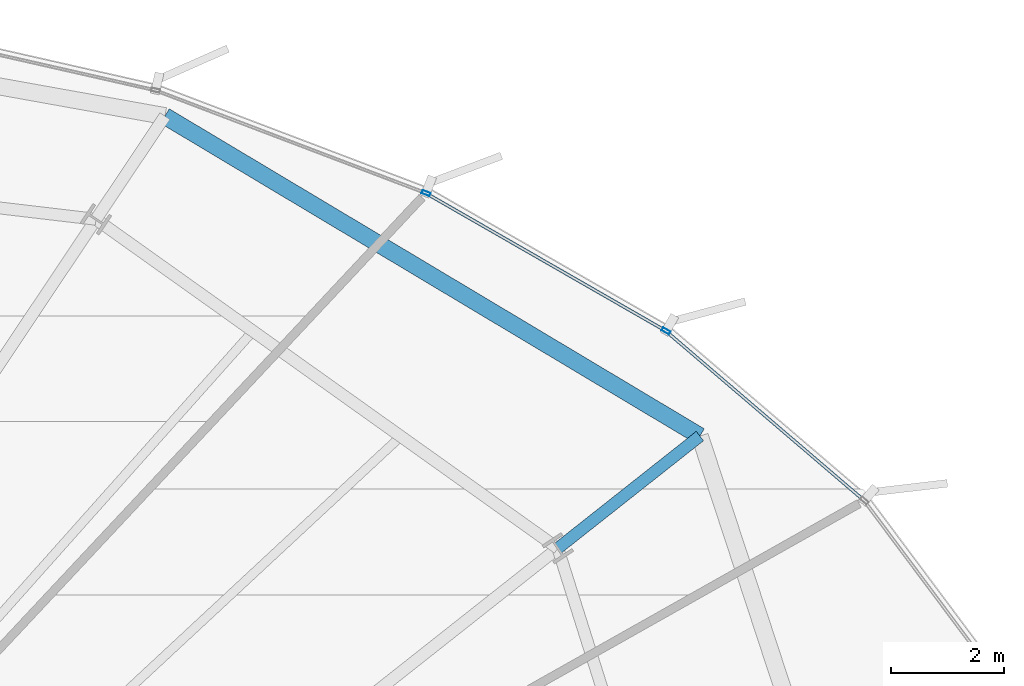
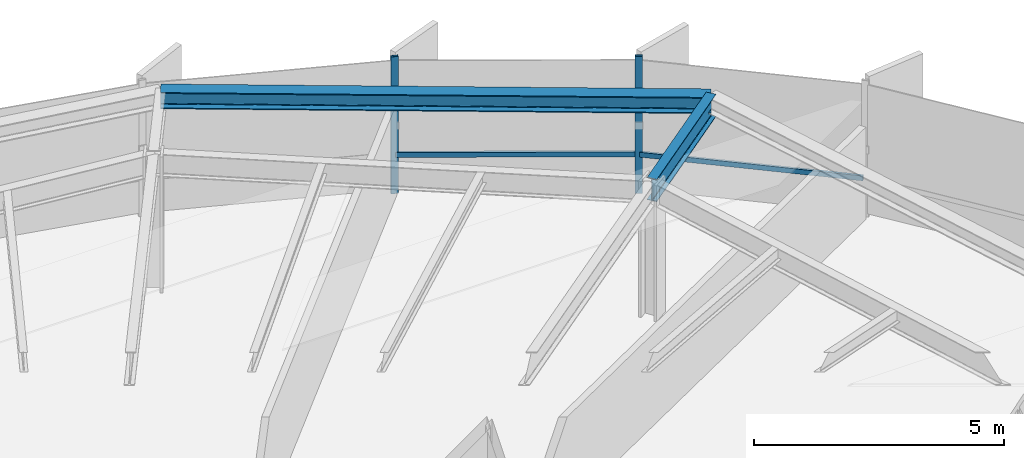
# One storey, part 25 of 35: 4 members, 2 beams, 1 element without a shape of its own.
"""IFC4 building model written with IfcOpenShell, lengths in metres."""

from ifc_helpers import new_model, si_unit, direction, frame, origin, origin_2d, place, context, subcontext, project, spatial, hollow_rectangle, i_section, extrude, source, transform, mapped, material, layer, layer_set, material_profile, profile_set, type_object, element, aggregate, save


model = new_model("IFC4")

# Units and contexts
model_context = context("Model", 3, precision=1e-05, world=origin(), true_north=direction((0.0, 1.0)))
body_context = subcontext(model_context, "Body", "Model", "MODEL_VIEW")
ifc_project = project(units=[si_unit("LENGTHUNIT", "METRE"), si_unit("AREAUNIT", "SQUARE_METRE"), si_unit("VOLUMEUNIT", "CUBIC_METRE"), si_unit("PLANEANGLEUNIT", "RADIAN"), si_unit("MASSUNIT", "GRAM", prefix="KILO"), si_unit("THERMODYNAMICTEMPERATUREUNIT", "KELVIN")], contexts=[model_context])

# Site, building, storey
site_placement = place(None, origin())
site = spatial("IfcSite", under=ifc_project, at=site_placement, CompositionType="ELEMENT")
building_placement = place(site_placement, origin())
building = spatial("IfcBuilding", under=site, at=building_placement, Name="Kethvar Cultural Tower", CompositionType="ELEMENT")
storey_placement = place(building_placement, frame((0.0, 0.0, 92.800048828125)))
storey = spatial("IfcBuildingStorey", under=building, at=storey_placement, Name="L22", CompositionType="ELEMENT", Elevation=92.800048828125)

# Beams
ifc_material_1 = material(Name="Steel S355J2", Category="steel")
ifc_material_profile_1 = material_profile(ifc_material_1, i_section(OverallWidth=0.2099609375, OverallDepth=0.550048828125, WebThickness=0.010986328125, FlangeThickness=0.01708984375, FilletRadius=0.02392578125, at=origin_2d()), Name="Steel S355J2 — IPE550")
ifc_profile_set_1 = profile_set([ifc_material_profile_1], Name="Steel S355J2 — IPE550")
beam_type_1 = type_object("IfcBeamType", Name="BM-IPE550", PredefinedType="BEAM", material=ifc_profile_set_1)
shared_shape_1 = source(origin(), body_context, "Body", "SweptSolid", [
    extrude(i_section(OverallWidth=0.2099609375, OverallDepth=0.550048828125, WebThickness=0.010986328125, FlangeThickness=0.01708984375, FilletRadius=0.02392578125, at=origin_2d()), origin(), (0.0, 0.0, 1.0), 3.2001953125),
])
beam_1_placement = place(storey_placement, frame((68.568603515625, 42.34521484375, 3.072998046875), z_axis=(0.784650322996, 0.619938602301, 0.0), x_axis=(-0.619938602301, 0.784650322996, 0.0)))
element("IfcBeam", 1, at=beam_1_placement, inside=storey, type_object=beam_type_1, Name="L22 Perimeter Cantilever Beam RC-02", PredefinedType="BEAM", context=body_context, shape_type="MappedRepresentation", body=[
    mapped(shared_shape_1, transform((0.0, 0.0, 0.0), scale=1.0)),
])
ifc_material_profile_2 = material_profile(ifc_material_1, i_section(OverallWidth=0.300048828125, OverallDepth=0.39990234375, WebThickness=0.013427734375, FlangeThickness=0.02392578125, FilletRadius=0.027099609375, at=origin_2d()), Name="Steel S355J2 — HEB400")
ifc_profile_set_2 = profile_set([ifc_material_profile_2], Name="Steel S355J2 — HEB400")
beam_type_2 = type_object("IfcBeamType", Name="BM-SP400", PredefinedType="SPANDREL", material=ifc_profile_set_2)
shared_shape_2 = source(origin(), body_context, "Body", "SweptSolid", [
    extrude(i_section(OverallWidth=0.300048828125, OverallDepth=0.39990234375, WebThickness=0.013427734375, FlangeThickness=0.02392578125, FilletRadius=0.027099609375, at=origin_2d()), origin(), (0.0, 0.0, 1.0), 11.0185546875),
])
beam_2_placement = place(storey_placement, frame((71.07958984375, 44.3291015625, 3.14794921875), z_axis=(-0.858223254521, 0.513276577879, 0.0), x_axis=(-0.513276577879, -0.858223254521, 0.0)))
element("IfcBeam", 2, at=beam_2_placement, inside=storey, type_object=beam_type_2, Name="L22 Perimeter Spandrel Beam SP-02", PredefinedType="SPANDREL", context=body_context, shape_type="MappedRepresentation", body=[
    mapped(shared_shape_2, transform((0.0, 0.0, 0.0), scale=1.0)),
])

# Curtain wall, members
ifc_material_2 = material(Name="Aluminium 6063-T6", Category="aluminium")
ifc_layer = layer(ifc_material_2, 0.179931640625, Name="Aluminium 6063-T6", Category="aluminium")
ifc_layer_set = layer_set([ifc_layer], Name="Aluminium 6063-T6 (180 mm)")
curtain_wall_type = type_object("IfcCurtainWallType", Name="CW-SYS-03-Z2", PredefinedType="NOTDEFINED", material=ifc_layer_set)
curtain_wall_placement = place(storey_placement, origin())
curtain_wall = element("IfcCurtainWall", 3, at=curtain_wall_placement, inside=storey, type_object=curtain_wall_type, Name="L22 Curtain Wall Run 01", PredefinedType="NOTDEFINED")
ifc_material_profile_3 = material_profile(ifc_material_2, hollow_rectangle(XDim=0.06005859375, YDim=0.14990234375, WallThickness=0.0048828125, at=origin_2d()), Name="Aluminium 6063-T6 — RHS150x60x5")
ifc_profile_set_3 = profile_set([ifc_material_profile_3], Name="Aluminium 6063-T6 — RHS150x60x5")
member_type_1 = type_object("IfcMemberType", Name="CW-SYS-03-Z2-MUL", PredefinedType="MULLION", material=ifc_profile_set_3)
shared_shape_3 = source(origin(), body_context, "Body", "SweptSolid", [
    extrude(hollow_rectangle(XDim=0.06005859375, YDim=0.14990234375, WallThickness=0.0048828125, at=origin_2d()), origin(), (0.0, 0.0, 1.0), 3.349853515625),
])
member_1_placement = place(storey_placement, frame((70.48095703125, 46.185546875, 0.0), z_axis=(0.0, 0.0, 1.0), x_axis=(-0.497852137374, -0.86726192659, 0.0)))
member_1 = element("IfcMember", 4, at=member_1_placement, type_object=member_type_1, Name="CW-L22-R01 Mullion 4", PredefinedType="MULLION", context=body_context, shape_type="MappedRepresentation", body=[
    mapped(shared_shape_3, transform((0.0, 0.0, 0.0), scale=1.0)),
])
member_2_placement = place(storey_placement, frame((66.23828125, 48.62255859375, 0.0), z_axis=(0.0, 0.0, 1.0), x_axis=(-0.3552538001, -0.934769884792, 0.0)))
member_2 = element("IfcMember", 5, at=member_2_placement, type_object=member_type_1, Name="CW-L22-R01 Mullion 5", PredefinedType="MULLION", context=body_context, shape_type="MappedRepresentation", body=[
    mapped(shared_shape_3, transform((0.0, 0.0, 0.0), scale=1.0)),
])
ifc_material_profile_4 = material_profile(ifc_material_2, hollow_rectangle(XDim=0.054931640625, YDim=0.1201171875, WallThickness=0.00390625, at=origin_2d()), Name="Aluminium 6063-T6 — RHS120x55x4")
ifc_profile_set_4 = profile_set([ifc_material_profile_4], Name="Aluminium 6063-T6 — RHS120x55x4")
member_type_2 = type_object("IfcMemberType", Name="CW-SYS-03-Z2-TRN", PredefinedType="USERDEFINED", material=ifc_profile_set_4)
shared_shape_4 = source(origin(), body_context, "Body", "SweptSolid", [
    extrude(hollow_rectangle(XDim=0.054931640625, YDim=0.1201171875, WallThickness=0.00390625, at=origin_2d()), origin(), (0.0, 0.0, 1.0), 4.546875),
])
member_3_placement = place(storey_placement, frame((73.95263671875, 43.21533203125, 0.949951171875), z_axis=(-0.760146580706, 0.649751626271, 0.0), x_axis=(-0.649751626271, -0.760146580706, 0.0)))
member_3 = element("IfcMember", 6, at=member_3_placement, type_object=member_type_2, Name="CW-L22-R01 Transom 3", ObjectType="TRANSOM", PredefinedType="USERDEFINED", context=body_context, shape_type="MappedRepresentation", body=[
    mapped(shared_shape_4, transform((0.0, 0.0, 0.0), scale=1.0)),
])
shared_shape_5 = source(origin(), body_context, "Body", "SweptSolid", [
    extrude(hollow_rectangle(XDim=0.054931640625, YDim=0.1201171875, WallThickness=0.00390625, at=origin_2d()), origin(), (0.0, 0.0, 1.0), 4.824462890625),
])
member_4_placement = place(storey_placement, frame((70.443603515625, 46.20703125, 0.949951171875), z_axis=(-0.867263616992, 0.497849192669, 0.0), x_axis=(-0.497849192669, -0.867263616992, 0.0)))
member_4 = element("IfcMember", 7, at=member_4_placement, type_object=member_type_2, Name="CW-L22-R01 Transom 4", ObjectType="TRANSOM", PredefinedType="USERDEFINED", context=body_context, shape_type="MappedRepresentation", body=[
    mapped(shared_shape_5, transform((0.0, 0.0, 0.0), scale=1.0)),
])
aggregate(curtain_wall, [member_1, member_2, member_3, member_4])

save(model, "model.ifc")
